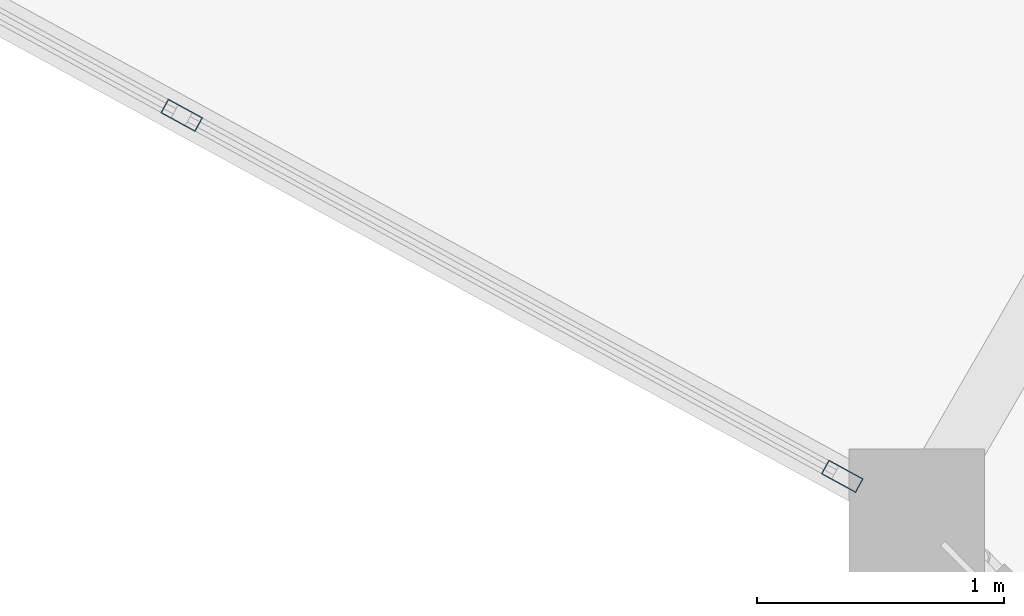
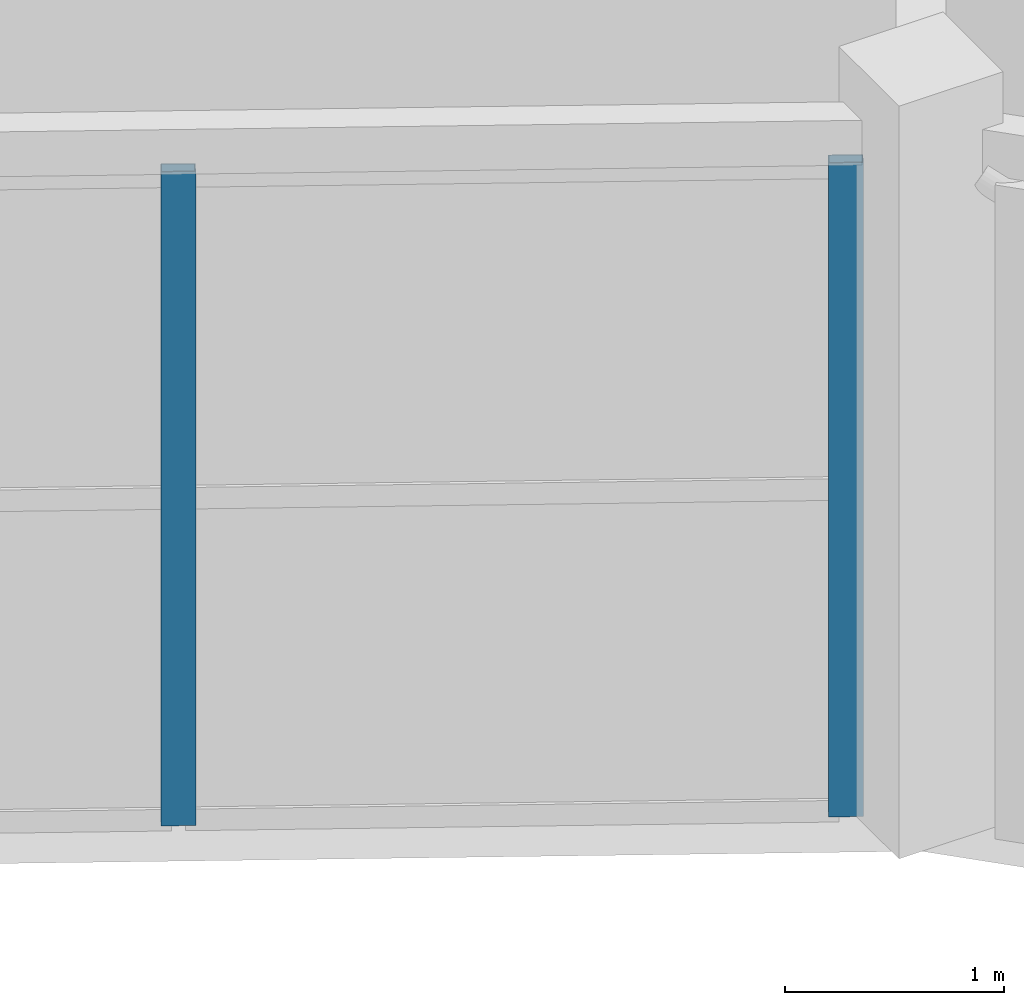
# One storey, part 72 of 130: 2 members, 1 element without a shape of its own.
"""IFC4 building model written with IfcOpenShell, lengths in metres."""

from ifc_helpers import new_model, si_unit, direction, frame, origin, origin_2d, place, context, subcontext, project, spatial, hollow_rectangle, extrude, material, material_profile, profile_set, type_object, element, aggregate, save


model = new_model("IFC4")

# Units and contexts
model_context = context("Model", 3, precision=1e-05, world=origin(), true_north=direction((0.0, 1.0)))
body_context = subcontext(model_context, "Body", "Model", "MODEL_VIEW")
ifc_project = project(units=[si_unit("LENGTHUNIT", "METRE"), si_unit("AREAUNIT", "SQUARE_METRE"), si_unit("VOLUMEUNIT", "CUBIC_METRE"), si_unit("PLANEANGLEUNIT", "RADIAN"), si_unit("MASSUNIT", "GRAM", prefix="KILO")], contexts=[model_context])

# Site, building, storey
site_placement = place(None, origin())
site = spatial("IfcSite", under=ifc_project, at=site_placement, CompositionType="ELEMENT")
building_placement = place(site_placement, origin())
building = spatial("IfcBuilding", under=site, at=building_placement, Name="Karori Crest Natural Sciences Institute", CompositionType="ELEMENT")
storey_placement = place(building_placement, frame((0.0, 0.0, 17.5)))
storey = spatial("IfcBuildingStorey", under=building, at=storey_placement, Name="L04", CompositionType="ELEMENT", Elevation=17.5)

# Curtain wall, members
ifc_material = material(Name="Anodised architectural aluminium 6063-T6", Category="aluminium")
curtain_wall_type = type_object("IfcCurtainWallType", Name="CWT-15", PredefinedType="NOTDEFINED", material=ifc_material)
curtain_wall_placement = place(storey_placement, origin())
curtain_wall = element("IfcCurtainWall", 1, at=curtain_wall_placement, inside=storey, type_object=curtain_wall_type, Name="Curtain wall CW-0143", PredefinedType="NOTDEFINED")
ifc_material_profile = material_profile(ifc_material, hollow_rectangle(XDim=0.06494140625, YDim=0.159912109375, WallThickness=0.00390625, at=origin_2d()), Name="CWM160x65x4")
ifc_profile_set = profile_set([ifc_material_profile], Name="Anodised architectural aluminium 6063-T6")
member_type = type_object("IfcMemberType", Name="CWM-01", PredefinedType="MULLION", material=ifc_profile_set)
member_1_placement = place(storey_placement, frame((78.29833984375, 77.950927734375, 0.0), z_axis=(0.0, 0.0, 1.0), x_axis=(-0.479631017431, -0.877470277057, 0.0)))
member_1 = element("IfcMember", 2, at=member_1_placement, type_object=member_type, Name="CW-0143 mullion 1", PredefinedType="MULLION", context=body_context, shape_type="SweptSolid", body=[
    extrude(hollow_rectangle(XDim=0.06494140625, YDim=0.159912109375, WallThickness=0.00390625, at=origin_2d()), origin(), (0.0, 0.0, 1.0), 3.64990234375),
])
member_2_placement = place(storey_placement, frame((75.6201171875, 79.414794921875, 0.0), z_axis=(0.0, 0.0, 1.0), x_axis=(-0.479631017431, -0.877470277057, 0.0)))
member_2 = element("IfcMember", 3, at=member_2_placement, type_object=member_type, Name="CW-0143 mullion 2", PredefinedType="MULLION", context=body_context, shape_type="SweptSolid", body=[
    extrude(hollow_rectangle(XDim=0.06494140625, YDim=0.159912109375, WallThickness=0.00390625, at=origin_2d()), origin(), (0.0, 0.0, 1.0), 3.64990234375),
])
aggregate(curtain_wall, [member_1, member_2])

save(model, "model.ifc")
